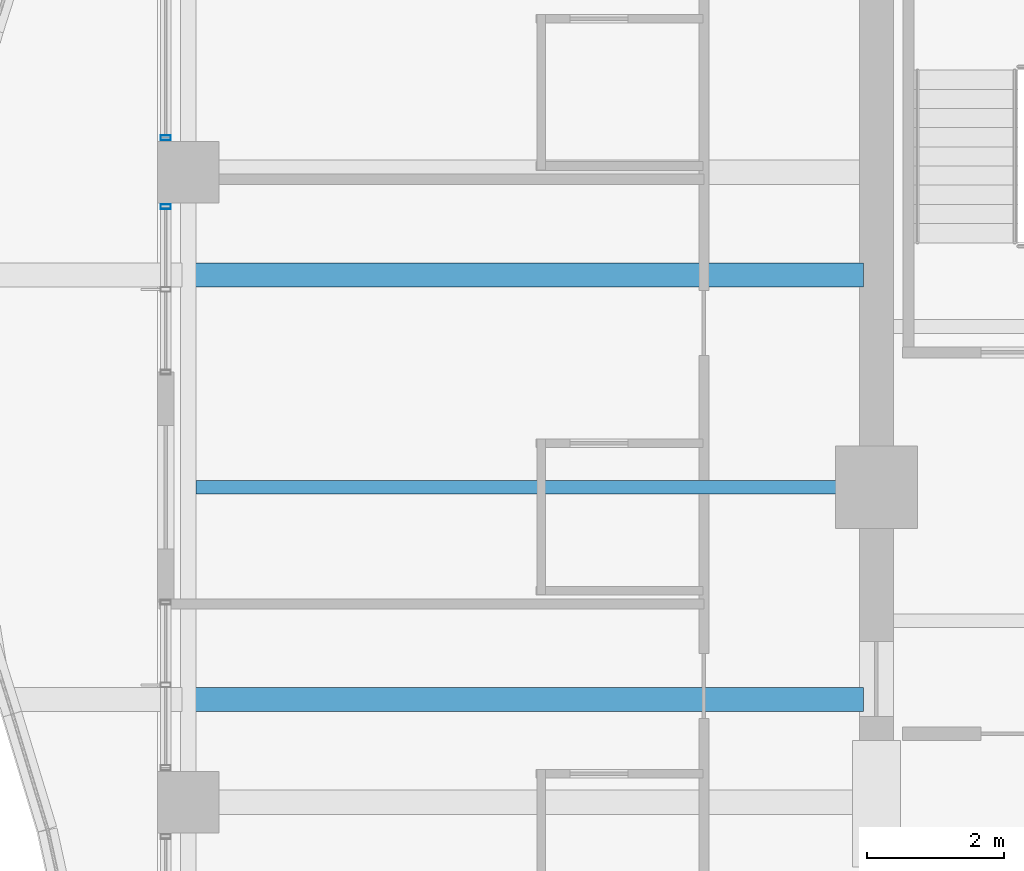
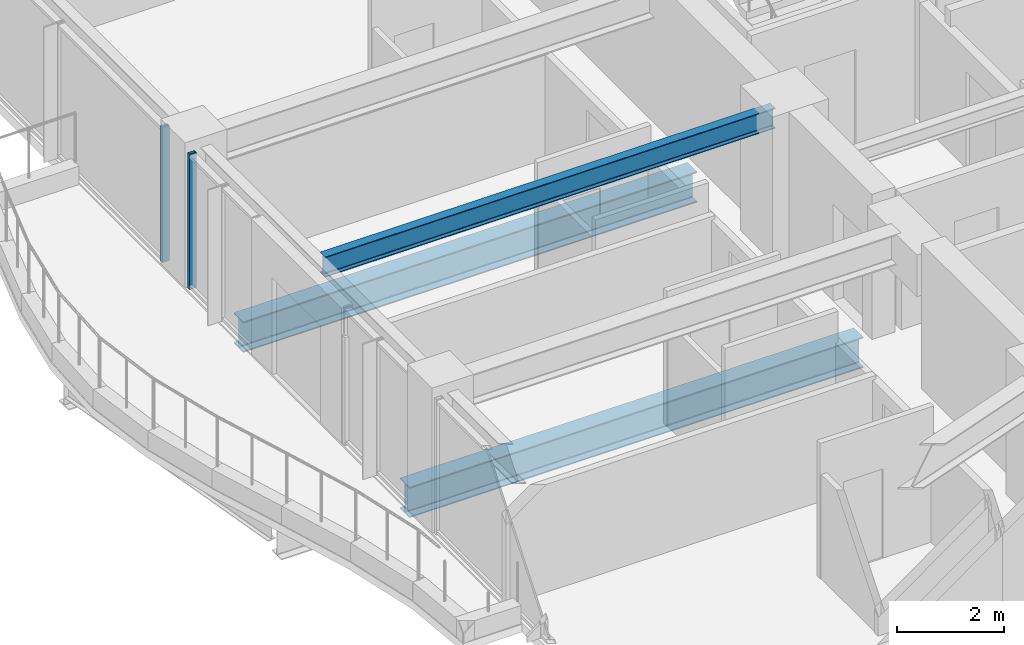
# One storey, part 7 of 34: 3 beams, 2 members, 2 elements without a shape of their own.
"""IFC4 building model written with IfcOpenShell, lengths in metres."""

from ifc_helpers import new_model, si_unit, direction, frame, origin, origin_2d, place, context, subcontext, project, spatial, hollow_rectangle, i_section, extrude, material, material_profile, profile_set, type_object, element, aggregate, save


model = new_model("IFC4")

# Units and contexts
model_context = context("Model", 3, precision=1e-05, world=origin(), true_north=direction((0.0, 1.0)))
body_context = subcontext(model_context, "Body", "Model", "MODEL_VIEW")
ifc_project = project(units=[si_unit("LENGTHUNIT", "METRE"), si_unit("AREAUNIT", "SQUARE_METRE"), si_unit("VOLUMEUNIT", "CUBIC_METRE"), si_unit("PLANEANGLEUNIT", "RADIAN"), si_unit("MASSUNIT", "GRAM", prefix="KILO")], contexts=[model_context])

# Site, building, storey
site_placement = place(None, origin())
site = spatial("IfcSite", under=ifc_project, at=site_placement, CompositionType="ELEMENT")
building_placement = place(site_placement, origin())
building = spatial("IfcBuilding", under=site, at=building_placement, Name="Kolvaren Belvedere", CompositionType="ELEMENT")
storey_placement = place(building_placement, frame((0.0, 0.0, 189.89990234375)))
storey = spatial("IfcBuildingStorey", under=building, at=storey_placement, Name="L55", CompositionType="ELEMENT", Elevation=189.89990234375)

# Beams
ifc_material_1 = material(Name="Structural steel ASTM A992 Grade 50", Category="steel")
ifc_material_profile_1 = material_profile(ifc_material_1, i_section(OverallWidth=0.35498046875, OverallDepth=0.696044921875, WebThickness=0.015380859375, FlangeThickness=0.02490234375, FilletRadius=0.02197265625, at=origin_2d()), Name="W27X146")
ifc_profile_set_1 = profile_set([ifc_material_profile_1], Name="Structural steel ASTM A992 Grade 50")
beam_type_1 = type_object("IfcBeamType", Name="BM-GIRD-W27X146", PredefinedType="BEAM", material=ifc_profile_set_1)
for number, where, z_axis, x_axis, name in (
    (1, (-10.090087890625, -3.10009765625, -0.56787109375), (-1.0, 0.0, 0.0), (0.0, -1.0, 0.0), "L55 Balcony Interior Back-Span Girder BAL-W-1"),
    (2, (-10.090087890625, 3.10009765625, -0.56787109375), (-1.0, 0.0, 0.0), (0.0, -1.0, 0.0), "L55 Balcony Interior Back-Span Girder BAL-W-2"),
):
    element("IfcBeam", number, at=place(storey_placement, frame(where, z_axis=z_axis, x_axis=x_axis)), inside=storey, type_object=beam_type_1, Name=name, PredefinedType="BEAM", context=body_context, shape_type="SweptSolid", body=[
        extrude(i_section(OverallWidth=0.35498046875, OverallDepth=0.696044921875, WebThickness=0.015380859375, FlangeThickness=0.02490234375, FilletRadius=0.02197265625, at=origin_2d()), origin(), (0.0, 0.0, 1.0), 9.764892578125),
    ])
ifc_material_2 = material(Name="Structural steel ASTM A992 Grade 50", Category="steel")
ifc_material_profile_2 = material_profile(ifc_material_2, i_section(OverallWidth=0.19091796875, OverallDepth=0.4599609375, WebThickness=0.010009765625, FlangeThickness=0.01611328125, FilletRadius=0.014892578125, at=origin_2d()), Name="W18X55")
ifc_profile_set_2 = profile_set([ifc_material_profile_2], Name="Structural steel ASTM A992 Grade 50")
beam_type_2 = type_object("IfcBeamType", Name="BM-JOIST-W18X55", PredefinedType="BEAM", material=ifc_profile_set_2)
beam_placement = place(storey_placement, frame((-10.14990234375, 0.0, 2.85009765625), z_axis=(-1.0, 0.0, 0.0), x_axis=(0.0, -1.0, 0.0)))
element("IfcBeam", 3, at=beam_placement, inside=storey, type_object=beam_type_2, Name="L55 West Centre Floor Beam", PredefinedType="BEAM", context=body_context, shape_type="SweptSolid", body=[
    extrude(i_section(OverallWidth=0.19091796875, OverallDepth=0.4599609375, WebThickness=0.010009765625, FlangeThickness=0.01611328125, FilletRadius=0.014892578125, at=origin_2d()), origin(), (0.0, 0.0, 1.0), 9.685546875),
])

# Curtain wall, member
ifc_material_3 = material(Name="Anodised pale-metal aluminium AA 6063-T6", Category="aluminium")
curtain_wall_type = type_object("IfcCurtainWallType", Name="CW-Z5-HIGH", PredefinedType="NOTDEFINED", material=ifc_material_3)
curtain_wall_1_placement = place(storey_placement, origin())
curtain_wall_1 = element("IfcCurtainWall", 4, at=curtain_wall_1_placement, inside=storey, type_object=curtain_wall_type, Name="L55 Unitised Curtain Wall FCW-L55-W2-B1", PredefinedType="NOTDEFINED")
ifc_material_4 = material(Name="Anodised pale-metal aluminium AA 6063-T6", Category="aluminium")
ifc_material_profile_3 = material_profile(ifc_material_4, hollow_rectangle(XDim=0.070068359375, YDim=0.14990234375, WallThickness=0.004150390625, at=origin_2d()), Name="ALU-MUL-150X70")
ifc_profile_set_3 = profile_set([ifc_material_profile_3], Name="Anodised pale-metal aluminium AA 6063-T6")
member_type = type_object("IfcMemberType", Name="CW-MUL-150", PredefinedType="MULLION", material=ifc_profile_set_3)
member_1_placement = place(storey_placement, frame((-20.280029296875, 4.094970703125, 0.0), z_axis=(0.0, 0.0, 1.0), x_axis=(0.0, 1.0, 0.0)))
member_1 = element("IfcMember", 5, at=member_1_placement, type_object=member_type, Name="FCW-L55-W2-B1 Unitised Mullion 3", PredefinedType="MULLION", context=body_context, shape_type="SweptSolid", body=[
    extrude(hollow_rectangle(XDim=0.070068359375, YDim=0.14990234375, WallThickness=0.004150390625, at=origin_2d()), origin(), (0.0, 0.0, 1.0), 3.080078125),
])
aggregate(curtain_wall_1, [member_1])

curtain_wall_2_placement = place(storey_placement, origin())
curtain_wall_2 = element("IfcCurtainWall", 6, at=curtain_wall_2_placement, inside=storey, type_object=curtain_wall_type, Name="L55 Unitised Curtain Wall FCW-L55-W2-B2", PredefinedType="NOTDEFINED")
member_2_placement = place(storey_placement, frame((-20.280029296875, 5.10498046875, 0.0), z_axis=(0.0, 0.0, 1.0), x_axis=(0.0, 1.0, 0.0)))
member_2 = element("IfcMember", 7, at=member_2_placement, type_object=member_type, Name="FCW-L55-W2-B2 Unitised Mullion 1", PredefinedType="MULLION", context=body_context, shape_type="SweptSolid", body=[
    extrude(hollow_rectangle(XDim=0.070068359375, YDim=0.14990234375, WallThickness=0.004150390625, at=origin_2d()), origin(), (0.0, 0.0, 1.0), 3.080078125),
])
aggregate(curtain_wall_2, [member_2])

save(model, "model.ifc")
